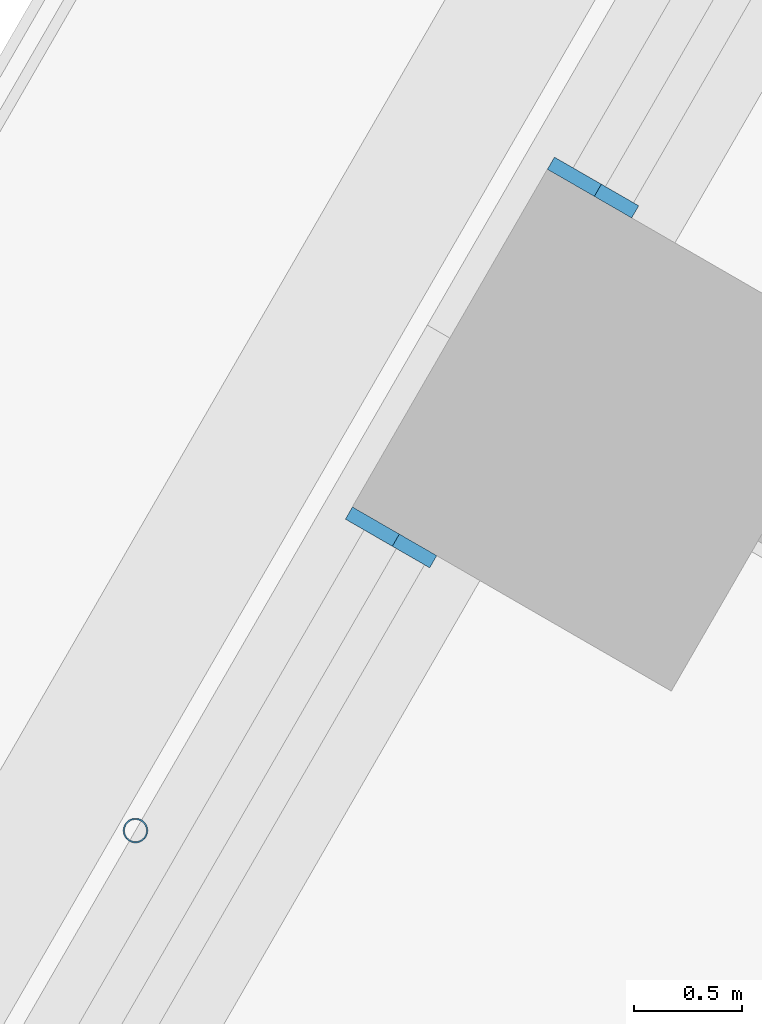
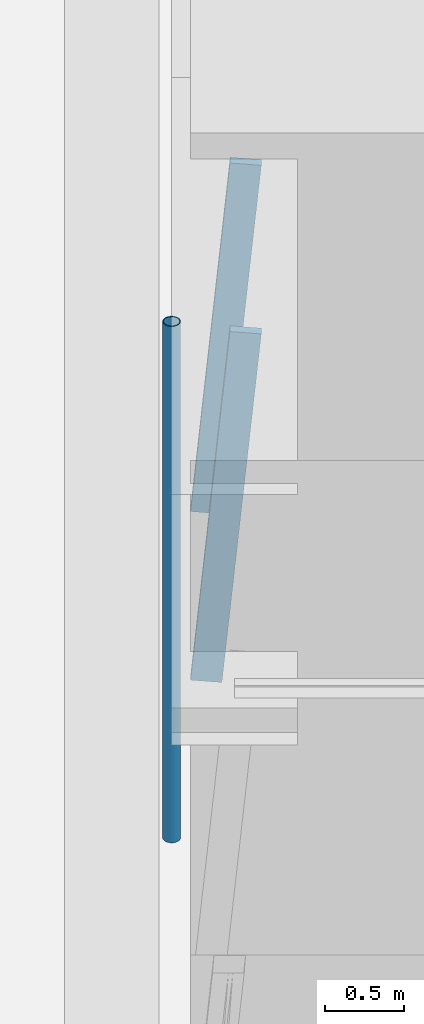
# One storey, part 7 of 24: 3 members, 2 elements without a shape of their own.
"""IFC4 building model written with IfcOpenShell, lengths in metres."""

from ifc_helpers import new_model, si_unit, direction, frame, origin, origin_2d, place, context, subcontext, project, spatial, rectangle, hollow_circle, extrude, material, material_profile, profile_set, type_object, element, aggregate, save


model = new_model("IFC4")

# Units and contexts
model_context = context("Model", 3, precision=1e-05, world=origin(), true_north=direction((0.0, 1.0)))
body_context = subcontext(model_context, "Body", "Model", "MODEL_VIEW")
ifc_project = project(units=[si_unit("LENGTHUNIT", "METRE"), si_unit("AREAUNIT", "SQUARE_METRE"), si_unit("VOLUMEUNIT", "CUBIC_METRE"), si_unit("PLANEANGLEUNIT", "RADIAN"), si_unit("MASSUNIT", "GRAM", prefix="KILO")], contexts=[model_context])

# Site, building, storey
site_placement = place(None, origin())
site = spatial("IfcSite", under=ifc_project, at=site_placement, CompositionType="ELEMENT")
building_placement = place(site_placement, origin())
building = spatial("IfcBuilding", under=site, at=building_placement, Name="Tarfa Lantern Tower", CompositionType="ELEMENT")
storey_placement = place(building_placement, frame((0.0, 0.0, 94.89990234375)))
storey = spatial("IfcBuildingStorey", under=building, at=storey_placement, Name="L21", CompositionType="ELEMENT", Elevation=94.89990234375)

# Curtain wall, member
ifc_material_1 = material(Name="Aluminium framed curtain wall", Category="aluminium")
curtain_wall_type = type_object("IfcCurtainWallType", Name="CW1 CANTED GLAZING LOW ZONE 2700", PredefinedType="USERDEFINED", material=ifc_material_1)
curtain_wall_1_placement = place(storey_placement, origin())
curtain_wall_1 = element("IfcCurtainWall", 1, at=curtain_wall_1_placement, inside=storey, type_object=curtain_wall_type, Name="CW1 NW L21", ObjectType="CURTAIN WALL", PredefinedType="USERDEFINED")
ifc_material_2 = material(Name="Aluminium mullion", Category="aluminium")
ifc_material_profile_1 = material_profile(ifc_material_2, rectangle(XDim=0.06494140625, YDim=0.199951171875, at=origin_2d()), Name="AL MULLION 65x200")
ifc_profile_set_1 = profile_set([ifc_material_profile_1], Name="Aluminium mullion")
member_type_1 = type_object("IfcMemberType", Name="CWM1 MULLION 65x200", PredefinedType="MULLION", material=ifc_profile_set_1)
member_1_placement = place(storey_placement, frame((-31.58642578125, 13.0908203125, 0.0), z_axis=(0.079857261722, -0.046095736191, 0.995739926314), x_axis=(0.499919672301, 0.866071776036, 0.0)))
member_1 = element("IfcMember", 2, at=member_1_placement, type_object=member_type_1, Name="CW1 mullion 2", PredefinedType="MULLION", context=body_context, shape_type="SweptSolid", body=[
    extrude(rectangle(XDim=0.06494140625, YDim=0.199951171875, at=origin_2d()), origin(), (0.0, 0.0, 1.0), 2.711669921875),
])
aggregate(curtain_wall_1, [member_1])

curtain_wall_2_placement = place(storey_placement, origin())
curtain_wall_2 = element("IfcCurtainWall", 3, at=curtain_wall_2_placement, inside=storey, type_object=curtain_wall_type, Name="CW1 NW L21", ObjectType="CURTAIN WALL", PredefinedType="USERDEFINED")
member_2_placement = place(storey_placement, frame((-32.518798828125, 11.475830078125, 0.0), z_axis=(0.079857261722, -0.046095736191, 0.995739926314), x_axis=(0.499919672301, 0.866071776036, 0.0)))
member_2 = element("IfcMember", 4, at=member_2_placement, type_object=member_type_1, Name="CW1 mullion 1", PredefinedType="MULLION", context=body_context, shape_type="SweptSolid", body=[
    extrude(rectangle(XDim=0.06494140625, YDim=0.199951171875, at=origin_2d()), origin(), (0.0, 0.0, 1.0), 2.711669921875),
])
aggregate(curtain_wall_2, [member_2])

# Member
ifc_material_3 = material(Name="Steel S355", Category="steel")
ifc_material_profile_2 = material_profile(ifc_material_3, hollow_circle(Radius=0.05712890625, WallThickness=0.00634765625, at=origin_2d()), Name="CHS114.3x6.3")
ifc_profile_set_2 = profile_set([ifc_material_profile_2], Name="Steel S355")
member_type_2 = type_object("IfcMemberType", Name="TR1 GREEN WALL TRELLIS CHS114.3x6.3", PredefinedType="USERDEFINED", material=ifc_profile_set_2)
member_3_placement = place(storey_placement, frame((-33.59033203125, 10.06005859375, 0.0), z_axis=(0.0, 0.0, 1.0), x_axis=(1.0, 0.0, 0.0)))
element("IfcMember", 5, at=member_3_placement, inside=storey, type_object=member_type_2, Name="Trellis post NW 2", ObjectType="TRELLIS", PredefinedType="USERDEFINED", context=body_context, shape_type="SweptSolid", body=[
    extrude(hollow_circle(Radius=0.05712890625, WallThickness=0.00634765625, at=origin_2d()), origin(), (0.0, 0.0, 1.0), 4.0),
])

save(model, "model.ifc")
